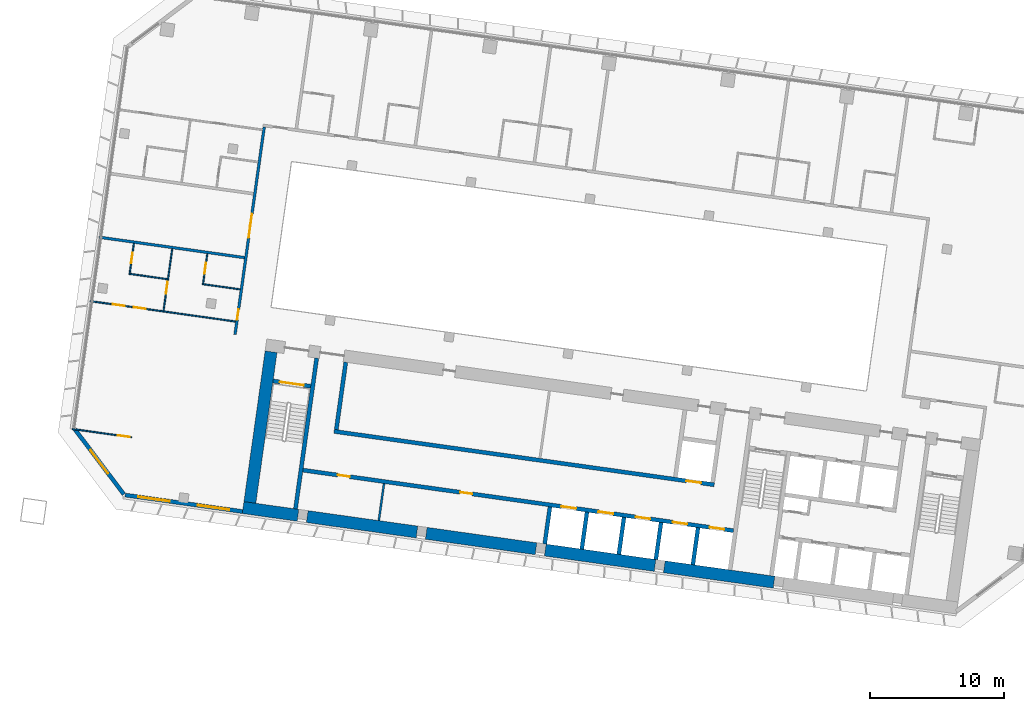
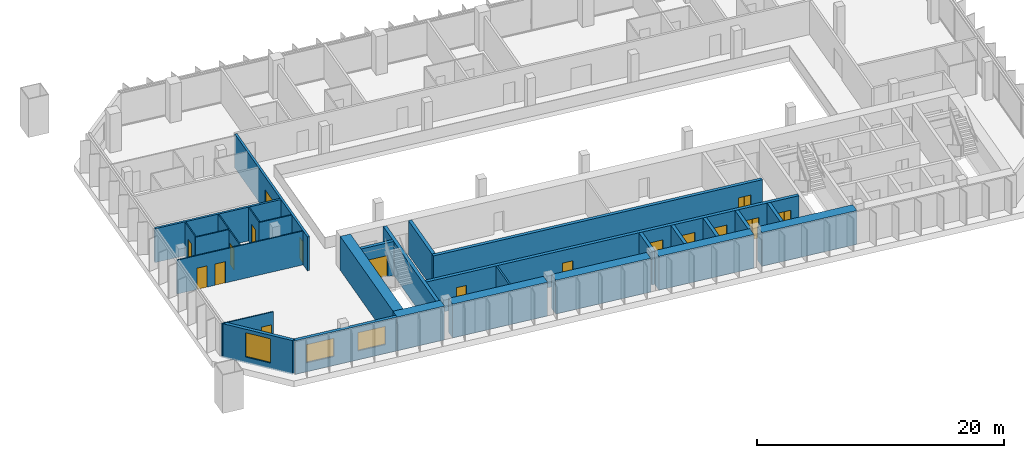
# One storey, part 14 of 24: 28 walls, 17 doors, 3 windows, 20 openings.
"""IFC4 building model written with IfcOpenShell, lengths in metres."""

from ifc_helpers import new_model, si_unit, direction, frame, frame_2d, origin, place, context, subcontext, project, spatial, rectangle, extrude, material, layer, layer_set, type_object, element, fill, save


model = new_model("IFC4")

# Units and contexts
model_context = context("Model", 3, precision=1e-05, world=origin(), true_north=direction((0.0, 1.0)))
body_context = subcontext(model_context, "Body", "Model", "MODEL_VIEW")
ifc_project = project(units=[si_unit("LENGTHUNIT", "METRE"), si_unit("AREAUNIT", "SQUARE_METRE"), si_unit("VOLUMEUNIT", "CUBIC_METRE"), si_unit("PLANEANGLEUNIT", "RADIAN"), si_unit("MASSUNIT", "GRAM", prefix="KILO")], contexts=[model_context])

# Site, building, storey
site_placement = place(None, origin())
site = spatial("IfcSite", under=ifc_project, at=site_placement, CompositionType="ELEMENT")
building_placement = place(site_placement, origin())
building = spatial("IfcBuilding", under=site, at=building_placement, Name="Mirante Cascada Hotel Towers", CompositionType="ELEMENT")
storey_placement = place(building_placement, frame((0.0, 0.0, 81.3)))
storey = spatial("IfcBuildingStorey", under=building, at=storey_placement, Name="L17", CompositionType="ELEMENT", Elevation=81.3)

# Wall
ifc_material_1 = material(Name="Fire-rated plasterboard on metal studs")
ifc_layer_1 = layer(ifc_material_1, 0.2)
ifc_layer_set_1 = layer_set([ifc_layer_1], Name="Compartment wall 200 EI 120")
wall_type_1 = type_object("IfcWallType", Name="Compartment wall 200 EI 120", PredefinedType="PARTITIONING", material=ifc_layer_set_1)
wall_1_placement = place(storey_placement, frame((-90.4064, 6.4896, 0.0), z_axis=(0.0, 0.0, 1.0), x_axis=(-0.990268, 0.1391733, 0.0)))
element("IfcWall", 1, at=wall_1_placement, inside=storey, type_object=wall_type_1, Name="Wall 1-L17-08", PredefinedType="PARTITIONING", context=body_context, shape_type="SweptSolid", body=[
    extrude(rectangle(XDim=11.0, YDim=0.2, at=frame_2d((5.5, 0.0))), origin(), (0.0, 0.0, 1.0), 3.35),
])

# Wall, openings, doors
wall_2_placement = place(storey_placement, frame((-88.9295, 16.2793, 0.0), z_axis=(0.0, 0.0, 1.0), x_axis=(-0.1391721, -0.9902682, 0.0)))
wall_2 = element("IfcWall", 2, at=wall_2_placement, inside=storey, type_object=wall_type_1, Name="Wall 1-L17-41", PredefinedType="PARTITIONING", context=body_context, shape_type="SweptSolid", body=[
    extrude(rectangle(XDim=15.7, YDim=0.2, at=frame_2d((7.85, 0.0))), origin(), (0.0, 0.0, 1.0), 3.35),
])
opening_1_placement = place(wall_2_placement, frame((13.7833, 0.0, 0.0)))
opening_1 = element("IfcOpeningElement", 3, at=opening_1_placement, cuts=wall_2, Name="Opening D1-L17-25", PredefinedType="OPENING", context=body_context, shape_type="SweptSolid", body=[
    extrude(rectangle(XDim=0.8, YDim=2.1, at=frame_2d((0.4, 1.05))), frame((0.0, 0.1, 0.0), z_axis=(0.0, -1.0, 0.0), x_axis=(1.0, 0.0, 0.0)), (0.0, 0.0, 1.0), 0.2),
])
opening_2_placement = place(wall_2_placement, frame((6.5834, 0.0, 0.0)))
opening_2 = element("IfcOpeningElement", 4, at=opening_2_placement, cuts=wall_2, Name="Opening D1-L17-26", PredefinedType="OPENING", context=body_context, shape_type="SweptSolid", body=[
    extrude(rectangle(XDim=1.8, YDim=2.1, at=frame_2d((0.9, 1.05))), frame((0.0, 0.1, 0.0), z_axis=(0.0, -1.0, 0.0), x_axis=(1.0, 0.0, 0.0)), (0.0, 0.0, 1.0), 0.2),
])
ifc_material_2 = material(Name="Fire-rated timber door leaf", Category="wood")
door_type_1 = type_object("IfcDoorType", Name="Bathroom door DG4 800x2100 EI 60", OperationType="SINGLE_SWING_LEFT", PredefinedType="DOOR", material=ifc_material_2)
door_1_placement = place(opening_1_placement, origin())
door_1 = element("IfcDoor", 5, at=door_1_placement, inside=storey, type_object=door_type_1, Name="Door D1-L17-25", OperationType="SINGLE_SWING_LEFT", OverallHeight=2.1, OverallWidth=0.8, PredefinedType="DOOR", context=body_context, shape_type="SweptSolid", body=[
    extrude(rectangle(XDim=0.8, YDim=2.1, at=frame_2d((0.4, 1.05))), frame((0.0, 0.025, 0.0), z_axis=(0.0, -1.0, 0.0), x_axis=(1.0, 0.0, 0.0)), (0.0, 0.0, 1.0), 0.05),
])
fill(opening_1, door_1)
ifc_material_3 = material(Name="Fire-rated timber door leaf", Category="wood")
door_type_2 = type_object("IfcDoorType", Name="Suite double door DG2 1800x2100 EI 60", OperationType="DOUBLE_DOOR_SINGLE_SWING", PredefinedType="DOOR", material=ifc_material_3)
door_2_placement = place(opening_2_placement, origin())
door_2 = element("IfcDoor", 6, at=door_2_placement, inside=storey, type_object=door_type_2, Name="Door D1-L17-26", OperationType="DOUBLE_DOOR_SINGLE_SWING", OverallHeight=2.1, OverallWidth=1.8, PredefinedType="DOOR", context=body_context, shape_type="SweptSolid", body=[
    extrude(rectangle(XDim=0.895, YDim=2.1, at=frame_2d((0.4475, 1.05))), frame((0.0, 0.025, 0.0), z_axis=(0.0, -1.0, 0.0), x_axis=(1.0, 0.0, 0.0)), (0.0, 0.0, 1.0), 0.05),
    extrude(rectangle(XDim=0.895, YDim=2.1, at=frame_2d((1.3525, 1.05))), frame((0.0, 0.025, 0.0), z_axis=(0.0, -1.0, 0.0), x_axis=(1.0, 0.0, 0.0)), (0.0, 0.0, 1.0), 0.05),
])
fill(opening_2, door_2)

# Wall
ifc_material_4 = material(Name="Masonry block", Category="masonry")
ifc_layer_2 = layer(ifc_material_4, 0.15)
ifc_layer_set_2 = layer_set([ifc_layer_2], Name="Core room partition 150 block EI 30")
wall_type_2 = type_object("IfcWallType", Name="Core room partition 150 block EI 30", PredefinedType="PARTITIONING", material=ifc_layer_set_2)
wall_3_placement = place(storey_placement, frame((-80.349, -13.2018, 0.0), z_axis=(0.0, 0.0, 1.0), x_axis=(0.139176, 0.9902677, 0.0)))
element("IfcWall", 7, at=wall_3_placement, inside=storey, type_object=wall_type_2, Name="Core wall partition T1 L17 4", PredefinedType="PARTITIONING", context=body_context, shape_type="SweptSolid", body=[
    extrude(rectangle(XDim=2.8001, YDim=0.15, at=frame_2d((1.4, 0.0))), origin(), (0.0, 0.0, 1.0), 3.35),
])

# Wall, opening, door
ifc_material_5 = material(Name="Plasterboard on metal studs")
ifc_layer_3 = layer(ifc_material_5, 0.1)
ifc_layer_set_3 = layer_set([ifc_layer_3], Name="Partition 100")
wall_type_3 = type_object("IfcWallType", Name="Partition 100", PredefinedType="PARTITIONING", material=ifc_layer_set_3)
wall_4_placement = place(storey_placement, frame((-103.3173, -6.3384, 0.0), z_axis=(0.0, 0.0, 1.0), x_axis=(0.9902674, -0.1391779, 0.0)))
wall_4 = element("IfcWall", 8, at=wall_4_placement, inside=storey, type_object=wall_type_3, Name="Wall 1-L17-01", PredefinedType="PARTITIONING", context=body_context, shape_type="SweptSolid", body=[
    extrude(rectangle(XDim=4.5, YDim=0.1, at=frame_2d((2.25, 0.0))), origin(), (0.0, 0.0, 1.0), 3.35),
])
opening_3_placement = place(wall_4_placement, frame((3.45, 0.0, 0.0)))
opening_3 = element("IfcOpeningElement", 9, at=opening_3_placement, cuts=wall_4, Name="Opening D1-L17-01", PredefinedType="OPENING", context=body_context, shape_type="SweptSolid", body=[
    extrude(rectangle(XDim=0.9, YDim=2.1, at=frame_2d((0.45, 1.05))), frame((0.0, 0.05, 0.0), z_axis=(0.0, -1.0, 0.0), x_axis=(1.0, 0.0, 0.0)), (0.0, 0.0, 1.0), 0.1),
])
ifc_material_6 = material(Name="Timber door leaf", Category="wood")
door_type_3 = type_object("IfcDoorType", Name="Room door DG3 900x2100", OperationType="SINGLE_SWING_LEFT", PredefinedType="DOOR", material=ifc_material_6)
door_3_placement = place(opening_3_placement, origin())
door_3 = element("IfcDoor", 10, at=door_3_placement, inside=storey, type_object=door_type_3, Name="Door D1-L17-01", OperationType="SINGLE_SWING_LEFT", OverallHeight=2.1, OverallWidth=0.9, PredefinedType="DOOR", context=body_context, shape_type="SweptSolid", body=[
    extrude(rectangle(XDim=0.9, YDim=2.1, at=frame_2d((0.45, 1.05))), frame((0.0, 0.025, 0.0), z_axis=(0.0, -1.0, 0.0), x_axis=(1.0, 0.0, 0.0)), (0.0, 0.0, 1.0), 0.05),
])
fill(opening_3, door_3)

# Wall, openings, doors
wall_5_placement = place(storey_placement, frame((-91.079, 1.7033, 0.0), z_axis=(0.0, 0.0, 1.0), x_axis=(-0.9902682, 0.1391721, 0.0)))
wall_5 = element("IfcWall", 11, at=wall_5_placement, inside=storey, type_object=wall_type_3, Name="Wall 1-L17-02", PredefinedType="PARTITIONING", context=body_context, shape_type="SweptSolid", body=[
    extrude(rectangle(XDim=11.0001, YDim=0.1, at=frame_2d((5.5, 0.0))), origin(), (0.0, 0.0, 1.0), 3.35),
])
opening_4_placement = place(wall_5_placement, frame((6.8, 0.0, 0.0)))
opening_4 = element("IfcOpeningElement", 12, at=opening_4_placement, cuts=wall_5, Name="Opening D1-L17-02", PredefinedType="OPENING", context=body_context, shape_type="SweptSolid", body=[
    extrude(rectangle(XDim=0.9, YDim=2.1, at=frame_2d((0.45, 1.05))), frame((0.0, 0.05, 0.0), z_axis=(0.0, -1.0, 0.0), x_axis=(1.0, 0.0, 0.0)), (0.0, 0.0, 1.0), 0.1),
])
opening_5_placement = place(wall_5_placement, frame((8.375, 0.0, 0.0)))
opening_5 = element("IfcOpeningElement", 13, at=opening_5_placement, cuts=wall_5, Name="Opening D1-L17-03", PredefinedType="OPENING", context=body_context, shape_type="SweptSolid", body=[
    extrude(rectangle(XDim=0.9, YDim=2.1, at=frame_2d((0.45, 1.05))), frame((0.0, 0.05, 0.0), z_axis=(0.0, -1.0, 0.0), x_axis=(1.0, 0.0, 0.0)), (0.0, 0.0, 1.0), 0.1),
])
door_4_placement = place(opening_4_placement, origin())
door_4 = element("IfcDoor", 14, at=door_4_placement, inside=storey, type_object=door_type_3, Name="Door D1-L17-02", OperationType="SINGLE_SWING_LEFT", OverallHeight=2.1, OverallWidth=0.9, PredefinedType="DOOR", context=body_context, shape_type="SweptSolid", body=[
    extrude(rectangle(XDim=0.9, YDim=2.1, at=frame_2d((0.45, 1.05))), frame((0.0, 0.025, 0.0), z_axis=(0.0, -1.0, 0.0), x_axis=(1.0, 0.0, 0.0)), (0.0, 0.0, 1.0), 0.05),
])
fill(opening_4, door_4)
door_5_placement = place(opening_5_placement, origin())
door_5 = element("IfcDoor", 15, at=door_5_placement, inside=storey, type_object=door_type_3, Name="Door D1-L17-03", OperationType="SINGLE_SWING_LEFT", OverallHeight=2.1, OverallWidth=0.9, PredefinedType="DOOR", context=body_context, shape_type="SweptSolid", body=[
    extrude(rectangle(XDim=0.9, YDim=2.1, at=frame_2d((0.45, 1.05))), frame((0.0, 0.025, 0.0), z_axis=(0.0, -1.0, 0.0), x_axis=(1.0, 0.0, 0.0)), (0.0, 0.0, 1.0), 0.05),
])
fill(opening_5, door_5)

# Walls
wall_6_placement = place(storey_placement, frame((-93.5626, 4.5096, 0.0), z_axis=(0.0, 0.0, 1.0), x_axis=(0.9902649, -0.1391957, 0.0)))
element("IfcWall", 16, at=wall_6_placement, inside=storey, type_object=wall_type_3, Name="Wall 1-L17-05", PredefinedType="PARTITIONING", context=body_context, shape_type="SweptSolid", body=[
    extrude(rectangle(XDim=2.8499, YDim=0.1, at=frame_2d((1.425, 0.0))), origin(), (0.0, 0.0, 1.0), 3.35),
])
wall_7_placement = place(storey_placement, frame((-96.1868, 4.8784, 0.0), z_axis=(0.0, 0.0, 1.0), x_axis=(-0.9902683, 0.1391714, 0.0)))
element("IfcWall", 17, at=wall_7_placement, inside=storey, type_object=wall_type_3, Name="Wall 1-L17-06", PredefinedType="PARTITIONING", context=body_context, shape_type="SweptSolid", body=[
    extrude(rectangle(XDim=2.9, YDim=0.1, at=frame_2d((1.45, 0.0))), origin(), (0.0, 0.0, 1.0), 3.35),
])

# Wall, opening, door
wall_8_placement = place(storey_placement, frame((-93.5062, 4.5521, 0.0), z_axis=(0.0, 0.0, 1.0), x_axis=(0.1391997, 0.9902643, 0.0)))
wall_8 = element("IfcWall", 18, at=wall_8_placement, inside=storey, type_object=wall_type_3, Name="Wall 1-L17-42", PredefinedType="PARTITIONING", context=body_context, shape_type="SweptSolid", body=[
    extrude(rectangle(XDim=2.25, YDim=0.1, at=frame_2d((1.125, 0.0))), origin(), (0.0, 0.0, 1.0), 3.35),
])
opening_6_placement = place(wall_8_placement, frame((0.75, 0.0, 0.0)))
opening_6 = element("IfcOpeningElement", 19, at=opening_6_placement, cuts=wall_8, Name="Opening D1-L17-27", PredefinedType="OPENING", context=body_context, shape_type="SweptSolid", body=[
    extrude(rectangle(XDim=0.8, YDim=2.1, at=frame_2d((0.4, 1.05))), frame((0.0, 0.05, 0.0), z_axis=(0.0, -1.0, 0.0), x_axis=(1.0, 0.0, 0.0)), (0.0, 0.0, 1.0), 0.1),
])
ifc_material_7 = material(Name="Timber door leaf", Category="wood")
door_type_4 = type_object("IfcDoorType", Name="Bathroom door DG4 800x2100", OperationType="SINGLE_SWING_LEFT", PredefinedType="DOOR", material=ifc_material_7)
door_6_placement = place(opening_6_placement, frame((0.8, 0.0, 0.0), z_axis=(0.0, 0.0, 1.0), x_axis=(-1.0, 0.0, 0.0)))
door_6 = element("IfcDoor", 20, at=door_6_placement, inside=storey, type_object=door_type_4, Name="Door D1-L17-27", OperationType="SINGLE_SWING_RIGHT", OverallHeight=2.1, OverallWidth=0.8, PredefinedType="DOOR", context=body_context, shape_type="SweptSolid", body=[
    extrude(rectangle(XDim=0.8, YDim=2.1, at=frame_2d((0.4, 1.05))), frame((0.0, 0.025, 0.0), z_axis=(0.0, -1.0, 0.0), x_axis=(1.0, 0.0, 0.0)), (0.0, 0.0, 1.0), 0.05),
])
fill(opening_6, door_6)

wall_9_placement = place(storey_placement, frame((-96.469, 2.5113, 0.0), z_axis=(0.0, 0.0, 1.0), x_axis=(0.139176, 0.9902677, 0.0)))
wall_9 = element("IfcWall", 21, at=wall_9_placement, inside=storey, type_object=wall_type_3, Name="Wall 1-L17-44", PredefinedType="PARTITIONING", context=body_context, shape_type="SweptSolid", body=[
    extrude(rectangle(XDim=4.6833, YDim=0.1, at=frame_2d((2.3416, 0.0))), origin(), (0.0, 0.0, 1.0), 3.35),
])
opening_7_placement = place(wall_9_placement, frame((1.3, 0.0, 0.0)))
opening_7 = element("IfcOpeningElement", 22, at=opening_7_placement, cuts=wall_9, Name="Opening D1-L17-29", PredefinedType="OPENING", context=body_context, shape_type="SweptSolid", body=[
    extrude(rectangle(XDim=0.9, YDim=2.1, at=frame_2d((0.45, 1.05))), frame((0.0, 0.05, 0.0), z_axis=(0.0, -1.0, 0.0), x_axis=(1.0, 0.0, 0.0)), (0.0, 0.0, 1.0), 0.1),
])
door_7_placement = place(opening_7_placement, frame((0.9, 0.0, 0.0), z_axis=(0.0, 0.0, 1.0), x_axis=(-1.0, 0.0, 0.0)))
door_7 = element("IfcDoor", 23, at=door_7_placement, inside=storey, type_object=door_type_3, Name="Door D1-L17-29", OperationType="SINGLE_SWING_RIGHT", OverallHeight=2.1, OverallWidth=0.9, PredefinedType="DOOR", context=body_context, shape_type="SweptSolid", body=[
    extrude(rectangle(XDim=0.9, YDim=2.1, at=frame_2d((0.45, 1.05))), frame((0.0, 0.025, 0.0), z_axis=(0.0, -1.0, 0.0), x_axis=(1.0, 0.0, 0.0)), (0.0, 0.0, 1.0), 0.05),
])
fill(opening_7, door_7)

wall_10_placement = place(storey_placement, frame((-99.0021, 5.3245, 0.0), z_axis=(0.0, 0.0, 1.0), x_axis=(0.1391561, 0.9902705, 0.0)))
wall_10 = element("IfcWall", 24, at=wall_10_placement, inside=storey, type_object=wall_type_3, Name="Wall 1-L17-46", PredefinedType="PARTITIONING", context=body_context, shape_type="SweptSolid", body=[
    extrude(rectangle(XDim=2.25, YDim=0.1, at=frame_2d((1.125, 0.0))), origin(), (0.0, 0.0, 1.0), 3.35),
])
opening_8_placement = place(wall_10_placement, frame((0.75, 0.0, 0.0)))
opening_8 = element("IfcOpeningElement", 25, at=opening_8_placement, cuts=wall_10, Name="Opening D1-L17-30", PredefinedType="OPENING", context=body_context, shape_type="SweptSolid", body=[
    extrude(rectangle(XDim=0.8, YDim=2.1, at=frame_2d((0.4, 1.05))), frame((0.0, 0.05, 0.0), z_axis=(0.0, -1.0, 0.0), x_axis=(1.0, 0.0, 0.0)), (0.0, 0.0, 1.0), 0.1),
])
door_8_placement = place(opening_8_placement, frame((0.8, 0.0, 0.0), z_axis=(0.0, 0.0, 1.0), x_axis=(-1.0, 0.0, 0.0)))
door_8 = element("IfcDoor", 26, at=door_8_placement, inside=storey, type_object=door_type_4, Name="Door D1-L17-30", OperationType="SINGLE_SWING_RIGHT", OverallHeight=2.1, OverallWidth=0.8, PredefinedType="DOOR", context=body_context, shape_type="SweptSolid", body=[
    extrude(rectangle(XDim=0.8, YDim=2.1, at=frame_2d((0.4, 1.05))), frame((0.0, 0.025, 0.0), z_axis=(0.0, -1.0, 0.0), x_axis=(1.0, 0.0, 0.0)), (0.0, 0.0, 1.0), 0.05),
])
fill(opening_8, door_8)

# Wall, openings, windows
ifc_material_8 = material(Name="Precast concrete C40/50", Category="concrete")
ifc_layer_4 = layer(ifc_material_8, 0.3)
ifc_layer_set_4 = layer_set([ifc_layer_4], Name="Precast concrete C40/50 cladding wall 300")
wall_type_4 = type_object("IfcWallType", Name="Precast concrete C40/50 cladding wall 300", PredefinedType="STANDARD", material=ifc_layer_set_4)
wall_11_placement = place(storey_placement, frame((-90.5541, -12.5249, 0.0), z_axis=(0.0, 0.0, 1.0), x_axis=(-0.9902678, 0.1391749, 0.0)))
wall_11 = element("IfcWall", 27, at=wall_11_placement, inside=storey, type_object=wall_type_4, Name="Rear cladding wall T1 L17 1", PredefinedType="STANDARD", context=body_context, shape_type="SweptSolid", body=[
    extrude(rectangle(XDim=8.8759, YDim=0.3, at=frame_2d((4.438, 0.0))), origin(), (0.0, 0.0, 1.0), 3.35),
])
opening_9_placement = place(wall_11_placement, frame((1.0012, 0.0, 0.9)))
opening_9 = element("IfcOpeningElement", 28, at=opening_9_placement, cuts=wall_11, Name="Opening W1-17-01", PredefinedType="OPENING", context=body_context, shape_type="SweptSolid", body=[
    extrude(rectangle(XDim=2.4, YDim=1.8, at=frame_2d((1.2, 0.9))), frame((0.0, 0.15, 0.0), z_axis=(0.0, -1.0, 0.0), x_axis=(1.0, 0.0, 0.0)), (0.0, 0.0, 1.0), 0.3),
])
opening_10_placement = place(wall_11_placement, frame((5.4923, 0.0, 0.9)))
opening_10 = element("IfcOpeningElement", 29, at=opening_10_placement, cuts=wall_11, Name="Opening W1-17-02", PredefinedType="OPENING", context=body_context, shape_type="SweptSolid", body=[
    extrude(rectangle(XDim=2.4, YDim=1.8, at=frame_2d((1.2, 0.9))), frame((0.0, 0.15, 0.0), z_axis=(0.0, -1.0, 0.0), x_axis=(1.0, 0.0, 0.0)), (0.0, 0.0, 1.0), 0.3),
])
ifc_material_9 = material(Name="Aluminium frame with clear double glazing", Category="aluminium")
window_type_1 = type_object("IfcWindowType", Name="Punched window 2400x1800", PartitioningType="DOUBLE_PANEL_VERTICAL", PredefinedType="WINDOW", material=ifc_material_9)
window_1_placement = place(opening_9_placement, origin())
window_1 = element("IfcWindow", 30, at=window_1_placement, inside=storey, type_object=window_type_1, Name="Window W1-17-01", OverallHeight=1.8, OverallWidth=2.4, PartitioningType="SINGLE_PANEL", PredefinedType="WINDOW", context=body_context, shape_type="SweptSolid", body=[
    extrude(rectangle(XDim=2.4, YDim=1.8, at=frame_2d((1.2, 0.9))), frame((0.0, 0.03, 0.0), z_axis=(0.0, -1.0, 0.0), x_axis=(1.0, 0.0, 0.0)), (0.0, 0.0, 1.0), 0.06),
])
fill(opening_9, window_1)
window_2_placement = place(opening_10_placement, origin())
window_2 = element("IfcWindow", 31, at=window_2_placement, inside=storey, type_object=window_type_1, Name="Window W1-17-02", OverallHeight=1.8, OverallWidth=2.4, PartitioningType="SINGLE_PANEL", PredefinedType="WINDOW", context=body_context, shape_type="SweptSolid", body=[
    extrude(rectangle(XDim=2.4, YDim=1.8, at=frame_2d((1.2, 0.9))), frame((0.0, 0.03, 0.0), z_axis=(0.0, -1.0, 0.0), x_axis=(1.0, 0.0, 0.0)), (0.0, 0.0, 1.0), 0.06),
])
fill(opening_10, window_2)

# Wall, opening, window
wall_12_placement = place(storey_placement, frame((-99.4423, -11.2315, 0.0), z_axis=(0.0, 0.0, 1.0), x_axis=(-0.6018141, 0.7986362, 0.0)))
wall_12 = element("IfcWall", 32, at=wall_12_placement, inside=storey, type_object=wall_type_4, Name="Corner cladding wall T1 L17 rear outer", PredefinedType="STANDARD", context=body_context, shape_type="SweptSolid", body=[
    extrude(rectangle(XDim=6.1157, YDim=0.3, at=frame_2d((3.0578, 0.0))), origin(), (0.0, 0.0, 1.0), 3.35),
])
opening_11_placement = place(wall_12_placement, frame((1.9578, 0.0, 0.6)))
opening_11 = element("IfcOpeningElement", 33, at=opening_11_placement, cuts=wall_12, Name="Opening W1-17-03", PredefinedType="OPENING", context=body_context, shape_type="SweptSolid", body=[
    extrude(rectangle(XDim=2.2, YDim=2.4, at=frame_2d((1.1, 1.2))), frame((0.0, 0.15, 0.0), z_axis=(0.0, -1.0, 0.0), x_axis=(1.0, 0.0, 0.0)), (0.0, 0.0, 1.0), 0.3),
])
ifc_material_10 = material(Name="Aluminium frame with clear double glazing", Category="aluminium")
window_type_2 = type_object("IfcWindowType", Name="Corner suite window 2200x2400", PartitioningType="DOUBLE_PANEL_VERTICAL", PredefinedType="WINDOW", material=ifc_material_10)
window_3_placement = place(opening_11_placement, origin())
window_3 = element("IfcWindow", 34, at=window_3_placement, inside=storey, type_object=window_type_2, Name="Window W1-17-03", OverallHeight=2.4, OverallWidth=2.2, PartitioningType="SINGLE_PANEL", PredefinedType="WINDOW", context=body_context, shape_type="SweptSolid", body=[
    extrude(rectangle(XDim=2.2, YDim=2.4, at=frame_2d((1.1, 1.2))), frame((0.0, 0.03, 0.0), z_axis=(0.0, -1.0, 0.0), x_axis=(1.0, 0.0, 0.0)), (0.0, 0.0, 1.0), 0.06),
])
fill(opening_11, window_3)

# Wall
ifc_material_11 = material(Name="Concrete C50/60", Category="concrete")
ifc_layer_5 = layer(ifc_material_11, 0.3)
ifc_layer_set_5 = layer_set([ifc_layer_5], Name="RC core wall 300 C50/60")
wall_type_5 = type_object("IfcWallType", Name="RC core wall 300 C50/60", PredefinedType="SHEAR", material=ifc_layer_set_5)
wall_13_placement = place(storey_placement, frame((-86.5877, -12.325, 0.0), z_axis=(0.0, 0.0, 1.0), x_axis=(0.1391749, 0.9902678, 0.0)))
element("IfcWall", 35, at=wall_13_placement, inside=storey, type_object=wall_type_5, Name="Core wall T1:L17:8", PredefinedType="SHEAR", context=body_context, shape_type="SweptSolid", body=[
    extrude(rectangle(XDim=11.4, YDim=0.3, at=frame_2d((5.7, 0.0))), origin(), (0.0, 0.0, 1.0), 3.35),
])

# Wall, opening, door
wall_14_placement = place(storey_placement, frame((-85.4489, -3.1441, 0.0), z_axis=(0.0, 0.0, 1.0), x_axis=(-0.9902697, 0.1391613, 0.0)))
wall_14 = element("IfcWall", 36, at=wall_14_placement, inside=storey, type_object=wall_type_5, Name="Core wall T1:L17:11", PredefinedType="SHEAR", context=body_context, shape_type="SweptSolid", body=[
    extrude(rectangle(XDim=2.8499, YDim=0.3, at=frame_2d((1.425, 0.0))), origin(), (0.0, 0.0, 1.0), 3.35),
])
opening_12_placement = place(wall_14_placement, frame((0.525, 0.0, 0.0)))
opening_12 = element("IfcOpeningElement", 37, at=opening_12_placement, cuts=wall_14, Name="Opening D1-17-C17", PredefinedType="OPENING", context=body_context, shape_type="SweptSolid", body=[
    extrude(rectangle(XDim=1.8, YDim=2.1, at=frame_2d((0.9, 1.05))), frame((0.0, 0.15, 0.0), z_axis=(0.0, -1.0, 0.0), x_axis=(1.0, 0.0, 0.0)), (0.0, 0.0, 1.0), 0.3),
])
ifc_material_12 = material(Name="Hollow metal fire door leaf")
door_type_5 = type_object("IfcDoorType", Name="Double fire door 1800x2100 FD60", OperationType="DOUBLE_DOOR_SINGLE_SWING", PredefinedType="DOOR", material=ifc_material_12)
door_9_placement = place(opening_12_placement, origin())
door_9 = element("IfcDoor", 38, at=door_9_placement, inside=storey, type_object=door_type_5, Name="Stair door T1 L17 17", OperationType="DOUBLE_DOOR_SINGLE_SWING", OverallHeight=2.1, OverallWidth=1.8, PredefinedType="DOOR", context=body_context, shape_type="SweptSolid", body=[
    extrude(rectangle(XDim=0.895, YDim=2.1, at=frame_2d((0.4475, 1.05))), frame((0.0, 0.025, 0.0), z_axis=(0.0, -1.0, 0.0), x_axis=(1.0, 0.0, 0.0)), (0.0, 0.0, 1.0), 0.05),
    extrude(rectangle(XDim=0.895, YDim=2.1, at=frame_2d((1.3525, 1.05))), frame((0.0, 0.025, 0.0), z_axis=(0.0, -1.0, 0.0), x_axis=(1.0, 0.0, 0.0)), (0.0, 0.0, 1.0), 0.05),
])
fill(opening_12, door_9)

# Wall, openings, doors
wall_15_placement = place(storey_placement, frame((-53.7953, -13.9547, 0.0), z_axis=(0.0, 0.0, 1.0), x_axis=(-0.990268, 0.1391733, 0.0)))
wall_15 = element("IfcWall", 39, at=wall_15_placement, inside=storey, type_object=wall_type_5, Name="Core wall T1:L17:24", PredefinedType="SHEAR", context=body_context, shape_type="SweptSolid", body=[
    extrude(rectangle(XDim=32.5501, YDim=0.3, at=frame_2d((16.275, 0.0))), origin(), (0.0, 0.0, 1.0), 3.35),
])
opening_13_placement = place(wall_15_placement, frame((0.7, 0.0, 0.0)))
opening_13 = element("IfcOpeningElement", 40, at=opening_13_placement, cuts=wall_15, Name="Opening LD", PredefinedType="OPENING", context=body_context, shape_type="SweptSolid", body=[
    extrude(rectangle(XDim=1.1, YDim=2.1, at=frame_2d((0.55, 1.05))), frame((0.0, 0.15, 0.0), z_axis=(0.0, -1.0, 0.0), x_axis=(1.0, 0.0, 0.0)), (0.0, 0.0, 1.0), 0.3),
])
opening_14_placement = place(wall_15_placement, frame((3.5, 0.0, 0.0)))
opening_14 = element("IfcOpeningElement", 41, at=opening_14_placement, cuts=wall_15, Name="Opening LD", PredefinedType="OPENING", context=body_context, shape_type="SweptSolid", body=[
    extrude(rectangle(XDim=1.1, YDim=2.1, at=frame_2d((0.55, 1.05))), frame((0.0, 0.15, 0.0), z_axis=(0.0, -1.0, 0.0), x_axis=(1.0, 0.0, 0.0)), (0.0, 0.0, 1.0), 0.3),
])
opening_15_placement = place(wall_15_placement, frame((6.3, 0.0, 0.0)))
opening_15 = element("IfcOpeningElement", 42, at=opening_15_placement, cuts=wall_15, Name="Opening LD", PredefinedType="OPENING", context=body_context, shape_type="SweptSolid", body=[
    extrude(rectangle(XDim=1.1, YDim=2.1, at=frame_2d((0.55, 1.05))), frame((0.0, 0.15, 0.0), z_axis=(0.0, -1.0, 0.0), x_axis=(1.0, 0.0, 0.0)), (0.0, 0.0, 1.0), 0.3),
])
opening_16_placement = place(wall_15_placement, frame((9.1, 0.0, 0.0)))
opening_16 = element("IfcOpeningElement", 43, at=opening_16_placement, cuts=wall_15, Name="Opening LD", PredefinedType="OPENING", context=body_context, shape_type="SweptSolid", body=[
    extrude(rectangle(XDim=1.1, YDim=2.1, at=frame_2d((0.55, 1.05))), frame((0.0, 0.15, 0.0), z_axis=(0.0, -1.0, 0.0), x_axis=(1.0, 0.0, 0.0)), (0.0, 0.0, 1.0), 0.3),
])
opening_17_placement = place(wall_15_placement, frame((11.9, 0.0, 0.0)))
opening_17 = element("IfcOpeningElement", 44, at=opening_17_placement, cuts=wall_15, Name="Opening LD", PredefinedType="OPENING", context=body_context, shape_type="SweptSolid", body=[
    extrude(rectangle(XDim=1.1, YDim=2.1, at=frame_2d((0.55, 1.05))), frame((0.0, 0.15, 0.0), z_axis=(0.0, -1.0, 0.0), x_axis=(1.0, 0.0, 0.0)), (0.0, 0.0, 1.0), 0.3),
])
opening_18_placement = place(wall_15_placement, frame((19.75, 0.0, 0.0)))
opening_18 = element("IfcOpeningElement", 45, at=opening_18_placement, cuts=wall_15, Name="Opening D1-17-C25", PredefinedType="OPENING", context=body_context, shape_type="SweptSolid", body=[
    extrude(rectangle(XDim=0.9, YDim=2.1, at=frame_2d((0.45, 1.05))), frame((0.0, 0.15, 0.0), z_axis=(0.0, -1.0, 0.0), x_axis=(1.0, 0.0, 0.0)), (0.0, 0.0, 1.0), 0.3),
])
opening_19_placement = place(wall_15_placement, frame((29.025, 0.0, 0.0)))
opening_19 = element("IfcOpeningElement", 46, at=opening_19_placement, cuts=wall_15, Name="Opening D1-17-C26", PredefinedType="OPENING", context=body_context, shape_type="SweptSolid", body=[
    extrude(rectangle(XDim=0.9, YDim=2.1, at=frame_2d((0.45, 1.05))), frame((0.0, 0.15, 0.0), z_axis=(0.0, -1.0, 0.0), x_axis=(1.0, 0.0, 0.0)), (0.0, 0.0, 1.0), 0.3),
])
ifc_material_13 = material(Name="Hollow metal fire door leaf")
door_type_6 = type_object("IfcDoorType", Name="Fire door 900x2100 FD60", OperationType="NOTDEFINED", PredefinedType="DOOR", material=ifc_material_13)
door_10_placement = place(opening_18_placement, origin())
door_10 = element("IfcDoor", 47, at=door_10_placement, inside=storey, type_object=door_type_6, Name="Room door T1 L17 25", OperationType="SINGLE_SWING_LEFT", OverallHeight=2.1, OverallWidth=0.9, PredefinedType="DOOR", context=body_context, shape_type="SweptSolid", body=[
    extrude(rectangle(XDim=0.9, YDim=2.1, at=frame_2d((0.45, 1.05))), frame((0.0, 0.025, 0.0), z_axis=(0.0, -1.0, 0.0), x_axis=(1.0, 0.0, 0.0)), (0.0, 0.0, 1.0), 0.05),
])
fill(opening_18, door_10)
door_11_placement = place(opening_19_placement, origin())
door_11 = element("IfcDoor", 48, at=door_11_placement, inside=storey, type_object=door_type_6, Name="Room door T1 L17 26", OperationType="SINGLE_SWING_LEFT", OverallHeight=2.1, OverallWidth=0.9, PredefinedType="DOOR", context=body_context, shape_type="SweptSolid", body=[
    extrude(rectangle(XDim=0.9, YDim=2.1, at=frame_2d((0.45, 1.05))), frame((0.0, 0.025, 0.0), z_axis=(0.0, -1.0, 0.0), x_axis=(1.0, 0.0, 0.0)), (0.0, 0.0, 1.0), 0.05),
])
fill(opening_19, door_11)
ifc_material_14 = material(Name="Stainless steel", Category="steel")
door_type_7 = type_object("IfcDoorType", Name="Lift landing door 1100x2100 EI 120", OperationType="DOUBLE_DOOR_SLIDING", PredefinedType="DOOR", material=ifc_material_14)
door_12_placement = place(opening_13_placement, origin())
door_12 = element("IfcDoor", 49, at=door_12_placement, inside=storey, type_object=door_type_7, Name="Lift landing door LR1-1 L17", OperationType="DOUBLE_DOOR_SLIDING", OverallHeight=2.1, OverallWidth=1.1, PredefinedType="DOOR", context=body_context, shape_type="SweptSolid", body=[
    extrude(rectangle(XDim=0.545, YDim=2.1, at=frame_2d((0.2725, 1.05))), frame((0.0, 0.025, 0.0), z_axis=(0.0, -1.0, 0.0), x_axis=(1.0, 0.0, 0.0)), (0.0, 0.0, 1.0), 0.05),
    extrude(rectangle(XDim=0.545, YDim=2.1, at=frame_2d((0.8275, 1.05))), frame((0.0, 0.025, 0.0), z_axis=(0.0, -1.0, 0.0), x_axis=(1.0, 0.0, 0.0)), (0.0, 0.0, 1.0), 0.05),
])
fill(opening_13, door_12)
door_13_placement = place(opening_14_placement, origin())
door_13 = element("IfcDoor", 50, at=door_13_placement, inside=storey, type_object=door_type_7, Name="Lift landing door LR1-2 L17", OperationType="DOUBLE_DOOR_SLIDING", OverallHeight=2.1, OverallWidth=1.1, PredefinedType="DOOR", context=body_context, shape_type="SweptSolid", body=[
    extrude(rectangle(XDim=0.545, YDim=2.1, at=frame_2d((0.2725, 1.05))), frame((0.0, 0.025, 0.0), z_axis=(0.0, -1.0, 0.0), x_axis=(1.0, 0.0, 0.0)), (0.0, 0.0, 1.0), 0.05),
    extrude(rectangle(XDim=0.545, YDim=2.1, at=frame_2d((0.8275, 1.05))), frame((0.0, 0.025, 0.0), z_axis=(0.0, -1.0, 0.0), x_axis=(1.0, 0.0, 0.0)), (0.0, 0.0, 1.0), 0.05),
])
fill(opening_14, door_13)
door_14_placement = place(opening_15_placement, origin())
door_14 = element("IfcDoor", 51, at=door_14_placement, inside=storey, type_object=door_type_7, Name="Lift landing door SV1-1 L17", OperationType="DOUBLE_DOOR_SLIDING", OverallHeight=2.1, OverallWidth=1.1, PredefinedType="DOOR", context=body_context, shape_type="SweptSolid", body=[
    extrude(rectangle(XDim=0.545, YDim=2.1, at=frame_2d((0.2725, 1.05))), frame((0.0, 0.025, 0.0), z_axis=(0.0, -1.0, 0.0), x_axis=(1.0, 0.0, 0.0)), (0.0, 0.0, 1.0), 0.05),
    extrude(rectangle(XDim=0.545, YDim=2.1, at=frame_2d((0.8275, 1.05))), frame((0.0, 0.025, 0.0), z_axis=(0.0, -1.0, 0.0), x_axis=(1.0, 0.0, 0.0)), (0.0, 0.0, 1.0), 0.05),
])
fill(opening_15, door_14)
door_15_placement = place(opening_16_placement, origin())
door_15 = element("IfcDoor", 52, at=door_15_placement, inside=storey, type_object=door_type_7, Name="Lift landing door SV1-2 L17", OperationType="DOUBLE_DOOR_SLIDING", OverallHeight=2.1, OverallWidth=1.1, PredefinedType="DOOR", context=body_context, shape_type="SweptSolid", body=[
    extrude(rectangle(XDim=0.545, YDim=2.1, at=frame_2d((0.2725, 1.05))), frame((0.0, 0.025, 0.0), z_axis=(0.0, -1.0, 0.0), x_axis=(1.0, 0.0, 0.0)), (0.0, 0.0, 1.0), 0.05),
    extrude(rectangle(XDim=0.545, YDim=2.1, at=frame_2d((0.8275, 1.05))), frame((0.0, 0.025, 0.0), z_axis=(0.0, -1.0, 0.0), x_axis=(1.0, 0.0, 0.0)), (0.0, 0.0, 1.0), 0.05),
])
fill(opening_16, door_15)
door_16_placement = place(opening_17_placement, origin())
door_16 = element("IfcDoor", 53, at=door_16_placement, inside=storey, type_object=door_type_7, Name="Lift landing door SV1-3 L17", OperationType="DOUBLE_DOOR_SLIDING", OverallHeight=2.1, OverallWidth=1.1, PredefinedType="DOOR", context=body_context, shape_type="SweptSolid", body=[
    extrude(rectangle(XDim=0.545, YDim=2.1, at=frame_2d((0.2725, 1.05))), frame((0.0, 0.025, 0.0), z_axis=(0.0, -1.0, 0.0), x_axis=(1.0, 0.0, 0.0)), (0.0, 0.0, 1.0), 0.05),
    extrude(rectangle(XDim=0.545, YDim=2.1, at=frame_2d((0.8275, 1.05))), frame((0.0, 0.025, 0.0), z_axis=(0.0, -1.0, 0.0), x_axis=(1.0, 0.0, 0.0)), (0.0, 0.0, 1.0), 0.05),
])
fill(opening_17, door_16)

# Walls
for number, where, z_axis, x_axis, name in (
    (54, (-56.8301, -16.5072, 0.0), (0.0, 0.0, 1.0), (0.139176, 0.9902677, 0.0), "Core wall T1:L17:25"),
    (55, (-59.6029, -16.1175, 0.0), (0.0, 0.0, 1.0), (0.139176, 0.9902677, 0.0), "Core wall T1:L17:26"),
    (56, (-62.3756, -15.7278, 0.0), (0.0, 0.0, 1.0), (0.139176, 0.9902677, 0.0), "Core wall T1:L17:27"),
    (57, (-65.1484, -15.3381, 0.0), (0.0, 0.0, 1.0), (0.139176, 0.9902677, 0.0), "Core wall T1:L17:28"),
):
    element("IfcWall", number, at=place(storey_placement, frame(where, z_axis=z_axis, x_axis=x_axis)), inside=storey, type_object=wall_type_5, Name=name, PredefinedType="SHEAR", context=body_context, shape_type="SweptSolid", body=[
        extrude(rectangle(XDim=2.8001, YDim=0.3, at=frame_2d((1.4, 0.0))), origin(), (0.0, 0.0, 1.0), 3.35),
    ])
wall_16_placement = place(storey_placement, frame((-67.9211, -14.9484, 0.0), z_axis=(0.0, 0.0, 1.0), x_axis=(0.139181, 0.990267, 0.0)))
element("IfcWall", 58, at=wall_16_placement, inside=storey, type_object=wall_type_5, Name="Core wall T1:L17:29", PredefinedType="SHEAR", context=body_context, shape_type="SweptSolid", body=[
    extrude(rectangle(XDim=2.8, YDim=0.3, at=frame_2d((1.4, 0.0))), origin(), (0.0, 0.0, 1.0), 3.35),
])

# Wall, opening, door
wall_17_placement = place(storey_placement, frame((-55.2315, -10.5214, 0.0), z_axis=(0.0, 0.0, 1.0), x_axis=(-0.9902682, 0.1391722, 0.0)))
wall_17 = element("IfcWall", 59, at=wall_17_placement, inside=storey, type_object=wall_type_5, Name="Core wall T1:L17:31", PredefinedType="SHEAR", context=body_context, shape_type="SweptSolid", body=[
    extrude(rectangle(XDim=28.75, YDim=0.3, at=frame_2d((14.375, 0.0))), origin(), (0.0, 0.0, 1.0), 3.35),
])
opening_20_placement = place(wall_17_placement, frame((1.0, 0.0, 0.0)))
opening_20 = element("IfcOpeningElement", 60, at=opening_20_placement, cuts=wall_17, Name="Opening LD", PredefinedType="OPENING", context=body_context, shape_type="SweptSolid", body=[
    extrude(rectangle(XDim=1.1, YDim=2.1, at=frame_2d((0.55, 1.05))), frame((0.0, 0.15, 0.0), z_axis=(0.0, -1.0, 0.0), x_axis=(1.0, 0.0, 0.0)), (0.0, 0.0, 1.0), 0.3),
])
door_17_placement = place(opening_20_placement, origin())
door_17 = element("IfcDoor", 61, at=door_17_placement, inside=storey, type_object=door_type_7, Name="Lift landing door LR1-3 L17", OperationType="DOUBLE_DOOR_SLIDING", OverallHeight=2.1, OverallWidth=1.1, PredefinedType="DOOR", context=body_context, shape_type="SweptSolid", body=[
    extrude(rectangle(XDim=0.545, YDim=2.1, at=frame_2d((0.2725, 1.05))), frame((0.0, 0.025, 0.0), z_axis=(0.0, -1.0, 0.0), x_axis=(1.0, 0.0, 0.0)), (0.0, 0.0, 1.0), 0.05),
    extrude(rectangle(XDim=0.545, YDim=2.1, at=frame_2d((0.8275, 1.05))), frame((0.0, 0.025, 0.0), z_axis=(0.0, -1.0, 0.0), x_axis=(1.0, 0.0, 0.0)), (0.0, 0.0, 1.0), 0.05),
])
fill(opening_20, door_17)

# Walls
wall_18_placement = place(storey_placement, frame((-83.5323, -6.3925, 0.0), z_axis=(0.0, 0.0, 1.0), x_axis=(0.1391755, 0.9902677, 0.0)))
element("IfcWall", 62, at=wall_18_placement, inside=storey, type_object=wall_type_5, Name="Core wall T1:L17:33", PredefinedType="SHEAR", context=body_context, shape_type="SweptSolid", body=[
    extrude(rectangle(XDim=5.1, YDim=0.3, at=frame_2d((2.55, 0.0))), origin(), (0.0, 0.0, 1.0), 3.35),
])
ifc_material_15 = material(Name="Concrete C50/60", Category="concrete")
ifc_layer_6 = layer(ifc_material_15, 0.9)
ifc_layer_set_6 = layer_set([ifc_layer_6], Name="RC core wall 900 C50/60")
wall_type_6 = type_object("IfcWallType", Name="RC core wall 900 C50/60", PredefinedType="SHEAR", material=ifc_layer_set_6)
for number, where, z_axis, x_axis, name in (
    (63, (-50.7531, -17.8156, 0.0), (0.0, 0.0, 1.0), (-0.9902686, 0.1391692, 0.0), "Core wall T1:L17:1.3"),
    (64, (-59.6655, -16.5631, 0.0), (0.0, 0.0, 1.0), (-0.9902686, 0.1391692, 0.0), "Core wall T1:L17:1.4"),
    (65, (-68.5779, -15.3105, 0.0), (0.0, 0.0, 1.0), (-0.9902686, 0.1391692, 0.0), "Core wall T1:L17:1.5"),
    (66, (-77.4903, -14.058, 0.0), (0.0, 0.0, 1.0), (-0.990267, 0.139181, 0.0), "Core wall T1:L17:1.6"),
):
    element("IfcWall", number, at=place(storey_placement, frame(where, z_axis=z_axis, x_axis=x_axis)), inside=storey, type_object=wall_type_6, Name=name, PredefinedType="SHEAR", context=body_context, shape_type="SweptSolid", body=[
        extrude(rectangle(XDim=8.3, YDim=0.9, at=frame_2d((4.15, 0.0))), origin(), (0.0, 0.0, 1.0), 3.35),
    ])
wall_19_placement = place(storey_placement, frame((-86.4027, -12.8054, 0.0), z_axis=(0.0, 0.0, 1.0), x_axis=(-0.990267, 0.139181, 0.0)))
element("IfcWall", 67, at=wall_19_placement, inside=storey, type_object=wall_type_6, Name="Core wall T1:L17:1.7", PredefinedType="SHEAR", context=body_context, shape_type="SweptSolid", body=[
    extrude(rectangle(XDim=4.15, YDim=0.9, at=frame_2d((2.075, 0.0))), origin(), (0.0, 0.0, 1.0), 3.35),
])
wall_20_placement = place(storey_placement, frame((-90.0041, -11.8449, 0.0), z_axis=(0.0, 0.0, 1.0), x_axis=(0.1391749, 0.9902678, 0.0)))
element("IfcWall", 68, at=wall_20_placement, inside=storey, type_object=wall_type_6, Name="Core wall T1:L17:4", PredefinedType="SHEAR", context=body_context, shape_type="SweptSolid", body=[
    extrude(rectangle(XDim=11.4, YDim=0.9, at=frame_2d((5.7, 0.0))), origin(), (0.0, 0.0, 1.0), 3.35),
])

save(model, "model.ifc")
